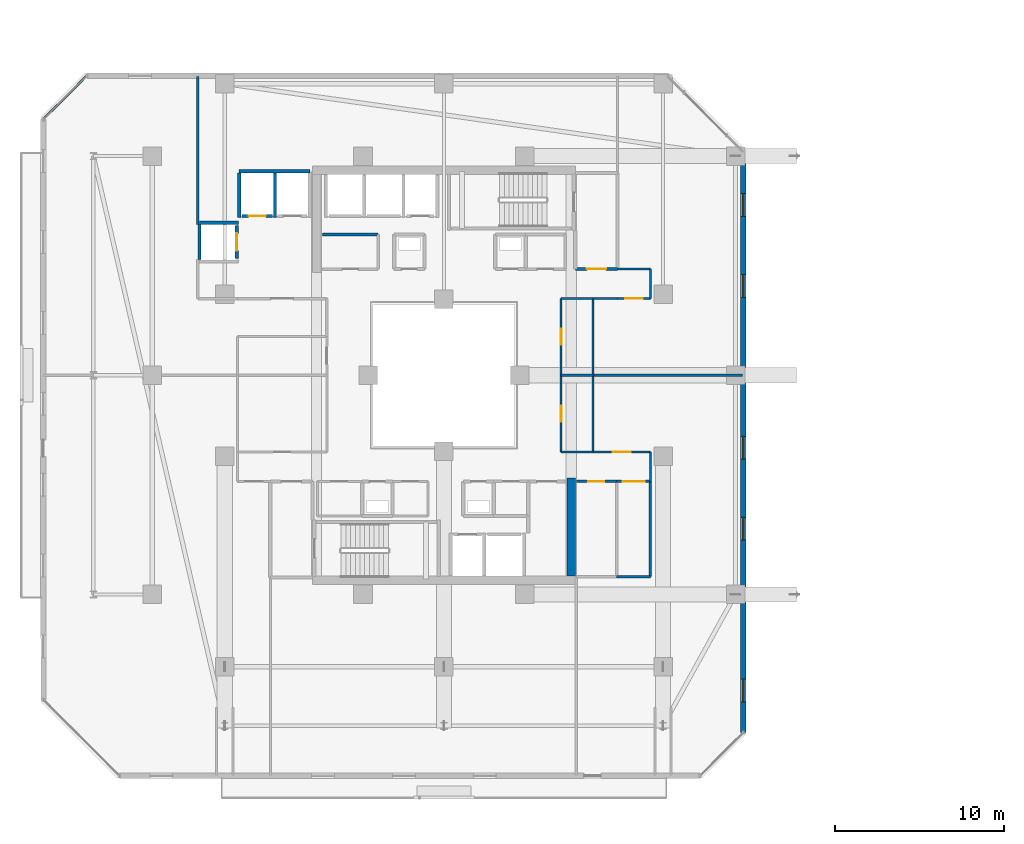
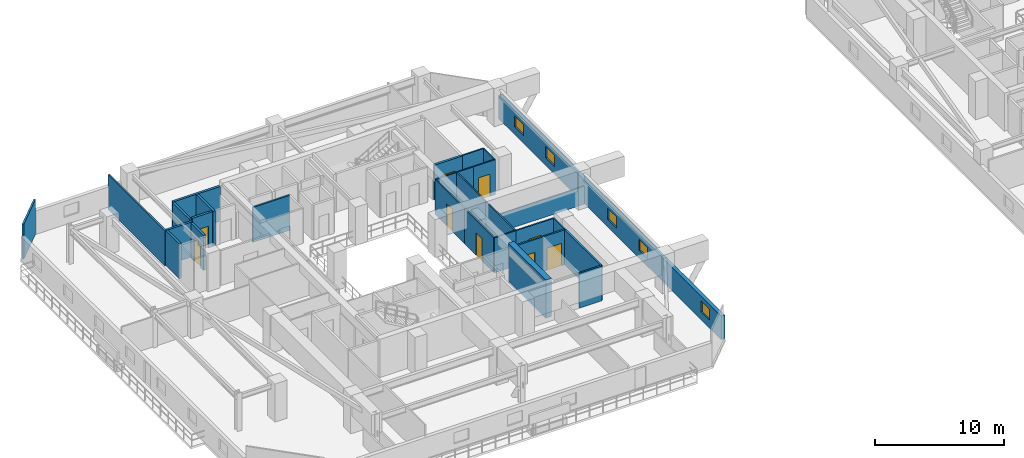
# One storey, part 22 of 35: 31 walls, 9 doors, 5 windows, 14 openings.
"""IFC4 building model written with IfcOpenShell, lengths in metres."""

from ifc_helpers import new_model, si_unit, direction, frame, frame_2d, origin, place, context, subcontext, project, spatial, rectangle, extrude, material, layer, layer_set, type_object, element, fill, save


model = new_model("IFC4")

# Units and contexts
model_context = context("Model", 3, precision=1e-05, world=origin(), true_north=direction((0.0, 1.0)))
body_context = subcontext(model_context, "Body", "Model", "MODEL_VIEW")
ifc_project = project(units=[si_unit("LENGTHUNIT", "METRE"), si_unit("AREAUNIT", "SQUARE_METRE"), si_unit("VOLUMEUNIT", "CUBIC_METRE"), si_unit("PLANEANGLEUNIT", "RADIAN"), si_unit("MASSUNIT", "GRAM", prefix="KILO")], contexts=[model_context])

# Site, building, storey
site_placement = place(None, origin())
site = spatial("IfcSite", under=ifc_project, at=site_placement, CompositionType="ELEMENT")
building_placement = place(site_placement, origin())
building = spatial("IfcBuilding", under=site, at=building_placement, Name="Thornwick Lancets Civic Towers", CompositionType="ELEMENT")
storey_placement = place(building_placement, frame((0.0, 0.0, 145.5)))
storey = spatial("IfcBuildingStorey", under=building, at=storey_placement, Name="L38", CompositionType="ELEMENT", Elevation=145.5)

# Wall, opening, door
ifc_material_1 = material(Name="Concrete blockwork C40/50", Category="masonry")
ifc_layer_1 = layer(ifc_material_1, 0.199951171875, Name="Concrete blockwork C40/50")
ifc_layer_set_1 = layer_set([ifc_layer_1], Name="Concrete blockwork C40/50")
wall_type_1 = type_object("IfcWallType", Name="WALL_COMP_200", PredefinedType="STANDARD", material=ifc_layer_set_1)
wall_1_placement = place(storey_placement, frame((15.320068359375, 36.449951171875, 0.0), z_axis=(0.0, 0.0, 1.0), x_axis=(-1.0, 0.0, 0.0)))
wall_1 = element("IfcWall", 1, at=wall_1_placement, inside=storey, type_object=wall_type_1, Name="L38 Hoistway Front Wall PL-AM2", PredefinedType="STANDARD", context=body_context, shape_type="SweptSolid", body=[
    extrude(rectangle(XDim=1.7900390625, YDim=0.199951171875, at=frame_2d((0.89501953125, 0.0))), origin(), (0.0, 0.0, 1.0), 3.300048828125),
])
opening_1_placement = place(wall_1_placement, frame((0.385009765625, 0.0, 0.0)))
opening_1 = element("IfcOpeningElement", 2, at=opening_1_placement, cuts=wall_1, Name="Opening LD-PL-AM2", PredefinedType="OPENING", context=body_context, shape_type="SweptSolid", body=[
    extrude(rectangle(XDim=1.02001953125, YDim=2.06005859375, at=frame_2d((0.510009765625, 1.030029296875))), frame((0.0, 0.10986328125, 0.0), z_axis=(0.0, -1.0, 0.0), x_axis=(1.0, 0.0, 0.0)), (0.0, 0.0, 1.0), 0.219970703125),
])
ifc_material_2 = material(Name="Brushed bronze stainless steel", Category="steel")
door_type_1 = type_object("IfcDoorType", Name="DOOR_LIFT_SLIDE", OperationType="SLIDING_TO_LEFT", PredefinedType="DOOR", material=ifc_material_2)
door_1_placement = place(opening_1_placement, origin())
door_1 = element("IfcDoor", 3, at=door_1_placement, inside=storey, type_object=door_type_1, Name="L38 Sliding Lift Landing Door LD-PL-AM2", OperationType="SLIDING_TO_LEFT", OverallHeight=2.06005859375, OverallWidth=1.02001953125, PredefinedType="DOOR", context=body_context, shape_type="SweptSolid", body=[
    extrude(rectangle(XDim=1.02001953125, YDim=2.06005859375, at=frame_2d((0.510009765625, 1.030029296875))), frame((0.0, 0.02490234375, 0.0), z_axis=(0.0, -1.0, 0.0), x_axis=(1.0, 0.0, 0.0)), (0.0, 0.0, 1.0), 0.050048828125),
])
fill(opening_1, door_1)

wall_2_placement = place(storey_placement, frame((13.199951171875, 33.929931640625, 0.0), z_axis=(0.0, 0.0, 1.0), x_axis=(0.0, 1.0, 0.0)))
wall_2 = element("IfcWall", 4, at=wall_2_placement, inside=storey, type_object=wall_type_1, Name="L38 Hoistway Front Wall PL-AM3", PredefinedType="STANDARD", context=body_context, shape_type="SweptSolid", body=[
    extrude(rectangle(XDim=1.940185546875, YDim=0.199951171875, at=frame_2d((0.97021484375, 0.0))), origin(), (0.0, 0.0, 1.0), 3.300048828125),
])
opening_2_placement = place(wall_2_placement, frame((0.4599609375, 0.0, 0.0)))
opening_2 = element("IfcOpeningElement", 5, at=opening_2_placement, cuts=wall_2, Name="Opening LD-PL-AM3", PredefinedType="OPENING", context=body_context, shape_type="SweptSolid", body=[
    extrude(rectangle(XDim=1.02001953125, YDim=2.06005859375, at=frame_2d((0.510009765625, 1.030029296875))), frame((0.0, 0.10986328125, 0.0), z_axis=(0.0, -1.0, 0.0), x_axis=(1.0, 0.0, 0.0)), (0.0, 0.0, 1.0), 0.219970703125),
])
door_2_placement = place(opening_2_placement, origin())
door_2 = element("IfcDoor", 6, at=door_2_placement, inside=storey, type_object=door_type_1, Name="L38 Sliding Lift Landing Door LD-PL-AM3", OperationType="SLIDING_TO_LEFT", OverallHeight=2.06005859375, OverallWidth=1.02001953125, PredefinedType="DOOR", context=body_context, shape_type="SweptSolid", body=[
    extrude(rectangle(XDim=1.02001953125, YDim=2.06005859375, at=frame_2d((0.510009765625, 1.030029296875))), frame((0.0, 0.02490234375, 0.0), z_axis=(0.0, -1.0, 0.0), x_axis=(1.0, 0.0, 0.0)), (0.0, 0.0, 1.0), 0.050048828125),
])
fill(opening_2, door_2)

# Walls
wall_3_placement = place(storey_placement, frame((13.35205078125, 39.10009765625, 0.0), z_axis=(0.0, 0.0, 1.0), x_axis=(1.0, 0.0, 0.0)))
element("IfcWall", 7, at=wall_3_placement, inside=storey, type_object=wall_type_1, Name="L38 Hoistway Shaft Wall PL-AM1 N", PredefinedType="STANDARD", context=body_context, shape_type="SweptSolid", body=[
    extrude(rectangle(XDim=4.196044921875, YDim=0.199951171875, at=frame_2d((2.09814453125, 0.0))), origin(), (0.0, 0.0, 1.0), 3.300048828125),
])
for number, where, z_axis, x_axis, name in (
    (8, (15.47509765625, 36.35205078125, 0.0), (0.0, 0.0, 1.0), (0.0, 1.0, 0.0), "L38 Hoistway Shaft Wall PL-AM1 W"),
    (9, (13.35009765625, 36.35205078125, 0.0), (0.0, 0.0, 1.0), (0.0, 1.0, 0.0), "L38 Hoistway Shaft Wall PL-AM2 W"),
):
    element("IfcWall", number, at=place(storey_placement, frame(where, z_axis=z_axis, x_axis=x_axis)), inside=storey, type_object=wall_type_1, Name=name, PredefinedType="STANDARD", context=body_context, shape_type="SweptSolid", body=[
        extrude(rectangle(XDim=2.635986328125, YDim=0.199951171875, at=frame_2d((1.31787109375, 0.0))), origin(), (0.0, 0.0, 1.0), 3.300048828125),
    ])
wall_4_placement = place(storey_placement, frame((11.001953125, 36.050048828125, 0.0), z_axis=(0.0, 0.0, 1.0), x_axis=(1.0, 0.0, 0.0)))
element("IfcWall", 10, at=wall_4_placement, inside=storey, type_object=wall_type_1, Name="L38 Hoistway Shaft Wall PL-AM3 N", PredefinedType="STANDARD", context=body_context, shape_type="SweptSolid", body=[
    extrude(rectangle(XDim=2.296142578125, YDim=0.199951171875, at=frame_2d((1.14794921875, 0.0))), origin(), (0.0, 0.0, 1.0), 3.300048828125),
])
wall_5_placement = place(storey_placement, frame((11.0, 33.862060546875, 0.0), z_axis=(0.0, 0.0, 1.0), x_axis=(0.0, 1.0, 0.0)))
element("IfcWall", 11, at=wall_5_placement, inside=storey, type_object=wall_type_1, Name="L38 Hoistway Shaft Wall PL-AM3 W", PredefinedType="STANDARD", context=body_context, shape_type="SweptSolid", body=[
    extrude(rectangle(XDim=2.075927734375, YDim=0.199951171875, at=frame_2d((1.0380859375, 0.0))), origin(), (0.0, 0.0, 1.0), 3.300048828125),
])

# Wall, opening, door
wall_6_placement = place(storey_placement, frame((33.300048828125, 33.300048828125, 0.0), z_axis=(0.0, 0.0, 1.0), x_axis=(1.0, 0.0, 0.0)))
wall_6 = element("IfcWall", 12, at=wall_6_placement, inside=storey, type_object=wall_type_1, Name="L38 Partition L38-A-FFLOB2 E1", PredefinedType="STANDARD", context=body_context, shape_type="SweptSolid", body=[
    extrude(rectangle(XDim=2.5, YDim=0.199951171875, at=frame_2d((1.25, 0.0))), origin(), (0.0, 0.0, 1.0), 3.300048828125),
])
opening_3_placement = place(wall_6_placement, frame((0.675048828125, 0.0, 0.0)))
opening_3 = element("IfcOpeningElement", 13, at=opening_3_placement, cuts=wall_6, Name="Opening D-L38-1708", PredefinedType="OPENING", context=body_context, shape_type="SweptSolid", body=[
    extrude(rectangle(XDim=1.14990234375, YDim=2.10009765625, at=frame_2d((0.574951171875, 1.050048828125))), frame((0.0, 0.10986328125, 0.0), z_axis=(0.0, -1.0, 0.0), x_axis=(1.0, 0.0, 0.0)), (0.0, 0.0, 1.0), 0.219970703125),
])
ifc_material_3 = material(Name="Glazed fire-resisting steel", Category="steel")
door_type_2 = type_object("IfcDoorType", Name="DOOR_LOBBY_FD60", OperationType="NOTDEFINED", PredefinedType="DOOR", material=ifc_material_3)
door_3_placement = place(opening_3_placement, origin())
door_3 = element("IfcDoor", 14, at=door_3_placement, inside=storey, type_object=door_type_2, Name="L38 North Firefighting Lobby 2 Door", OperationType="SINGLE_SWING_LEFT", OverallHeight=2.10009765625, OverallWidth=1.14990234375, PredefinedType="DOOR", context=body_context, shape_type="SweptSolid", body=[
    extrude(rectangle(XDim=1.14990234375, YDim=2.10009765625, at=frame_2d((0.574951171875, 1.050048828125))), frame((0.0, 0.02490234375, 0.0), z_axis=(0.0, -1.0, 0.0), x_axis=(1.0, 0.0, 0.0)), (0.0, 0.0, 1.0), 0.050048828125),
])
fill(opening_3, door_3)

# Wall
ifc_material_4 = material(Name="Concrete C50/60", Category="concrete")
ifc_layer_2 = layer(ifc_material_4, 0.5, Name="Concrete C50/60")
ifc_layer_set_2 = layer_set([ifc_layer_2], Name="Concrete C50/60")
wall_type_2 = type_object("IfcWallType", Name="WALL_CORE_500", PredefinedType="SHEAR", material=ifc_layer_set_2)
wall_7_placement = place(storey_placement, frame((33.050048828125, 15.10009765625, 0.0), z_axis=(0.0, 0.0, 1.0), x_axis=(0.0, 1.0, 0.0)))
element("IfcWall", 15, at=wall_7_placement, inside=storey, type_object=wall_type_2, Name="L38 Split Core A1 Shear Wall E", PredefinedType="SHEAR", context=body_context, shape_type="SweptSolid", body=[
    extrude(rectangle(XDim=5.7998046875, YDim=0.5, at=frame_2d((2.89990234375, 0.0))), origin(), (0.0, 0.0, 1.0), 3.60009765625),
])

# Wall, openings, windows
ifc_material_5 = material(Name="Insulated buff terracotta rainscreen on concrete C40/50", Category="masonry")
ifc_layer_3 = layer(ifc_material_5, 0.320068359375, Name="Insulated buff terracotta rainscreen on concrete C40/50")
ifc_layer_set_3 = layer_set([ifc_layer_3], Name="Insulated buff terracotta rainscreen on concrete C40/50")
wall_type_3 = type_object("IfcWallType", Name="WALL_EXT_TERRA_320", PredefinedType="STANDARD", material=ifc_layer_set_3)
wall_8_placement = place(storey_placement, frame((43.2646484375, 5.818603515625, 0.0), z_axis=(0.0, 0.0, 1.0), x_axis=(-0.000184351399, 0.999999983007, 0.0)))
wall_8 = element("IfcWall", 16, at=wall_8_placement, inside=storey, type_object=wall_type_3, Name="L38 Tower A Terracotta Facade Wall E2", PredefinedType="STANDARD", context=body_context, shape_type="SweptSolid", body=[
    extrude(rectangle(XDim=34.432373046875, YDim=0.320068359375, at=frame_2d((17.21630859375, 0.0))), origin(), (0.0, 0.0, 1.0), 2.219970703125),
])
opening_4_placement = place(wall_8_placement, frame((1.800048828125, 0.0, 0.719970703125)))
opening_4 = element("IfcOpeningElement", 17, at=opening_4_placement, cuts=wall_8, Name="Opening WL-03", PredefinedType="OPENING", context=body_context, shape_type="SweptSolid", body=[
    extrude(rectangle(XDim=1.35009765625, YDim=1.050048828125, at=frame_2d((0.675048828125, 0.52490234375))), frame((0.0, 0.169921875, 0.0), z_axis=(0.0, -1.0, 0.0), x_axis=(1.0, 0.0, 0.0)), (0.0, 0.0, 1.0), 0.340087890625),
])
opening_5_placement = place(wall_8_placement, frame((11.39990234375, 0.0, 0.719970703125)))
opening_5 = element("IfcOpeningElement", 18, at=opening_5_placement, cuts=wall_8, Name="Opening WL-03", PredefinedType="OPENING", context=body_context, shape_type="SweptSolid", body=[
    extrude(rectangle(XDim=1.35009765625, YDim=1.050048828125, at=frame_2d((0.675048828125, 0.52490234375))), frame((0.0, 0.169921875, 0.0), z_axis=(0.0, -1.0, 0.0), x_axis=(1.0, 0.0, 0.0)), (0.0, 0.0, 1.0), 0.340087890625),
])
opening_6_placement = place(wall_8_placement, frame((16.199951171875, 0.0, 0.719970703125)))
opening_6 = element("IfcOpeningElement", 19, at=opening_6_placement, cuts=wall_8, Name="Opening WL-03", PredefinedType="OPENING", context=body_context, shape_type="SweptSolid", body=[
    extrude(rectangle(XDim=1.35009765625, YDim=1.050048828125, at=frame_2d((0.675048828125, 0.52490234375))), frame((0.0, 0.169921875, 0.0), z_axis=(0.0, -1.0, 0.0), x_axis=(1.0, 0.0, 0.0)), (0.0, 0.0, 1.0), 0.340087890625),
])
opening_7_placement = place(wall_8_placement, frame((25.800048828125, 0.0, 0.719970703125)))
opening_7 = element("IfcOpeningElement", 20, at=opening_7_placement, cuts=wall_8, Name="Opening WL-03", PredefinedType="OPENING", context=body_context, shape_type="SweptSolid", body=[
    extrude(rectangle(XDim=1.35009765625, YDim=1.050048828125, at=frame_2d((0.675048828125, 0.52490234375))), frame((0.0, 0.169921875, 0.0), z_axis=(0.0, -1.0, 0.0), x_axis=(1.0, 0.0, 0.0)), (0.0, 0.0, 1.0), 0.340087890625),
])
opening_8_placement = place(wall_8_placement, frame((30.60009765625, 0.0, 0.719970703125)))
opening_8 = element("IfcOpeningElement", 21, at=opening_8_placement, cuts=wall_8, Name="Opening WL-03", PredefinedType="OPENING", context=body_context, shape_type="SweptSolid", body=[
    extrude(rectangle(XDim=1.35009765625, YDim=1.050048828125, at=frame_2d((0.675048828125, 0.52490234375))), frame((0.0, 0.169921875, 0.0), z_axis=(0.0, -1.0, 0.0), x_axis=(1.0, 0.0, 0.0)), (0.0, 0.0, 1.0), 0.340087890625),
])
ifc_material_6 = material(Name="Clear low-e double glazing clerestory lancet", Category="glass")
window_type = type_object("IfcWindowType", Name="WIN_LANCET_1350", PartitioningType="SINGLE_PANEL", PredefinedType="WINDOW", material=ifc_material_6)
window_1_placement = place(opening_4_placement, origin())
window_1 = element("IfcWindow", 22, at=window_1_placement, inside=storey, type_object=window_type, Name="L38 Tower A Staggered Lancet Window E2-1", OverallHeight=1.050048828125, OverallWidth=1.35009765625, PartitioningType="SINGLE_PANEL", PredefinedType="WINDOW", context=body_context, shape_type="SweptSolid", body=[
    extrude(rectangle(XDim=1.35009765625, YDim=1.050048828125, at=frame_2d((0.675048828125, 0.52490234375))), frame((0.0, 0.030029296875, 0.0), z_axis=(0.0, -1.0, 0.0), x_axis=(1.0, 0.0, 0.0)), (0.0, 0.0, 1.0), 0.06005859375),
])
fill(opening_4, window_1)
window_2_placement = place(opening_5_placement, origin())
window_2 = element("IfcWindow", 23, at=window_2_placement, inside=storey, type_object=window_type, Name="L38 Tower A Staggered Lancet Window E2-2", OverallHeight=1.050048828125, OverallWidth=1.35009765625, PartitioningType="SINGLE_PANEL", PredefinedType="WINDOW", context=body_context, shape_type="SweptSolid", body=[
    extrude(rectangle(XDim=1.35009765625, YDim=1.050048828125, at=frame_2d((0.675048828125, 0.52490234375))), frame((0.0, 0.030029296875, 0.0), z_axis=(0.0, -1.0, 0.0), x_axis=(1.0, 0.0, 0.0)), (0.0, 0.0, 1.0), 0.06005859375),
])
fill(opening_5, window_2)
window_3_placement = place(opening_6_placement, origin())
window_3 = element("IfcWindow", 24, at=window_3_placement, inside=storey, type_object=window_type, Name="L38 Tower A Staggered Lancet Window E2-3", OverallHeight=1.050048828125, OverallWidth=1.35009765625, PartitioningType="SINGLE_PANEL", PredefinedType="WINDOW", context=body_context, shape_type="SweptSolid", body=[
    extrude(rectangle(XDim=1.35009765625, YDim=1.050048828125, at=frame_2d((0.675048828125, 0.52490234375))), frame((0.0, 0.030029296875, 0.0), z_axis=(0.0, -1.0, 0.0), x_axis=(1.0, 0.0, 0.0)), (0.0, 0.0, 1.0), 0.06005859375),
])
fill(opening_6, window_3)
window_4_placement = place(opening_7_placement, origin())
window_4 = element("IfcWindow", 25, at=window_4_placement, inside=storey, type_object=window_type, Name="L38 Tower A Staggered Lancet Window E2-4", OverallHeight=1.050048828125, OverallWidth=1.35009765625, PartitioningType="SINGLE_PANEL", PredefinedType="WINDOW", context=body_context, shape_type="SweptSolid", body=[
    extrude(rectangle(XDim=1.35009765625, YDim=1.050048828125, at=frame_2d((0.675048828125, 0.52490234375))), frame((0.0, 0.030029296875, 0.0), z_axis=(0.0, -1.0, 0.0), x_axis=(1.0, 0.0, 0.0)), (0.0, 0.0, 1.0), 0.06005859375),
])
fill(opening_7, window_4)
window_5_placement = place(opening_8_placement, origin())
window_5 = element("IfcWindow", 26, at=window_5_placement, inside=storey, type_object=window_type, Name="L38 Tower A Staggered Lancet Window E2-5", OverallHeight=1.050048828125, OverallWidth=1.35009765625, PartitioningType="SINGLE_PANEL", PredefinedType="WINDOW", context=body_context, shape_type="SweptSolid", body=[
    extrude(rectangle(XDim=1.35009765625, YDim=1.050048828125, at=frame_2d((0.675048828125, 0.52490234375))), frame((0.0, 0.030029296875, 0.0), z_axis=(0.0, -1.0, 0.0), x_axis=(1.0, 0.0, 0.0)), (0.0, 0.0, 1.0), 0.06005859375),
])
fill(opening_8, window_5)

# Wall, opening, door
ifc_material_7 = material(Name="Acoustic gypsum board partition")
ifc_layer_4 = layer(ifc_material_7, 0.1201171875, Name="Acoustic gypsum board partition")
ifc_layer_set_4 = layer_set([ifc_layer_4], Name="Acoustic gypsum board partition")
wall_type_4 = type_object("IfcWallType", Name="WALL_PART_120", PredefinedType="PARTITIONING", material=ifc_layer_set_4)
wall_9_placement = place(storey_placement, frame((32.449951171875, 22.449951171875, 0.0), z_axis=(0.0, 0.0, 1.0), x_axis=(0.0, 1.0, 0.0)))
wall_9 = element("IfcWall", 27, at=wall_9_placement, inside=storey, type_object=wall_type_4, Name="L38 Partition L38-A-E1 E1", PredefinedType="PARTITIONING", context=body_context, shape_type="SweptSolid", body=[
    extrude(rectangle(XDim=4.550048828125, YDim=0.1201171875, at=frame_2d((2.27490234375, 0.0))), origin(), (0.0, 0.0, 1.0), 3.300048828125),
])
opening_9_placement = place(wall_9_placement, frame((1.800048828125, 0.0, 0.0)))
opening_9 = element("IfcOpeningElement", 28, at=opening_9_placement, cuts=wall_9, Name="Opening D-L38-1737", PredefinedType="OPENING", context=body_context, shape_type="SweptSolid", body=[
    extrude(rectangle(XDim=0.949951171875, YDim=2.10009765625, at=frame_2d((0.47509765625, 1.050048828125))), frame((0.0, 0.070068359375, 0.0), z_axis=(0.0, -1.0, 0.0), x_axis=(1.0, 0.0, 0.0)), (0.0, 0.0, 1.0), 0.14013671875),
])
ifc_material_8 = material(Name="European oak acoustic doorset")
door_type_3 = type_object("IfcDoorType", Name="DOOR_OFFICE_950", OperationType="NOTDEFINED", PredefinedType="DOOR", material=ifc_material_8)
door_4_placement = place(opening_9_placement, origin())
door_4 = element("IfcDoor", 29, at=door_4_placement, inside=storey, type_object=door_type_3, Name="L38 Tower A Visitors Reception and Waiting Door", OperationType="SINGLE_SWING_RIGHT", OverallHeight=2.10009765625, OverallWidth=0.949951171875, PredefinedType="DOOR", context=body_context, shape_type="SweptSolid", body=[
    extrude(rectangle(XDim=0.949951171875, YDim=2.10009765625, at=frame_2d((0.47509765625, 1.050048828125))), frame((0.0, 0.02490234375, 0.0), z_axis=(0.0, -1.0, 0.0), x_axis=(1.0, 0.0, 0.0)), (0.0, 0.0, 1.0), 0.050048828125),
])
fill(opening_9, door_4)

# Walls
wall_10_placement = place(storey_placement, frame((32.449951171875, 27.0, 0.0), z_axis=(0.0, 0.0, 1.0), x_axis=(1.0, 0.0, 0.0)))
element("IfcWall", 30, at=wall_10_placement, inside=storey, type_object=wall_type_4, Name="L38 Partition L38-A-E1 E2", PredefinedType="PARTITIONING", context=body_context, shape_type="SweptSolid", body=[
    extrude(rectangle(XDim=1.900146484375, YDim=0.1201171875, at=frame_2d((0.9501953125, 0.0))), origin(), (0.0, 0.0, 1.0), 1.68505859375),
])
wall_11_placement = place(storey_placement, frame((34.35009765625, 27.0, 0.0), z_axis=(0.0, 0.0, 1.0), x_axis=(0.0, -1.0, 0.0)))
element("IfcWall", 31, at=wall_11_placement, inside=storey, type_object=wall_type_4, Name="L38 Partition L38-A-E1 E3", PredefinedType="PARTITIONING", context=body_context, shape_type="SweptSolid", body=[
    extrude(rectangle(XDim=4.550048828125, YDim=0.1201171875, at=frame_2d((2.27490234375, 0.0))), origin(), (0.0, 0.0, 1.0), 3.300048828125),
])
wall_12_placement = place(storey_placement, frame((34.35009765625, 22.449951171875, 0.0), z_axis=(0.0, 0.0, 1.0), x_axis=(-1.0, 0.0, 0.0)))
element("IfcWall", 32, at=wall_12_placement, inside=storey, type_object=wall_type_4, Name="L38 Partition L38-A-E1 E4", PredefinedType="PARTITIONING", context=body_context, shape_type="SweptSolid", body=[
    extrude(rectangle(XDim=1.900146484375, YDim=0.1201171875, at=frame_2d((0.9501953125, 0.0))), origin(), (0.0, 0.0, 1.0), 3.300048828125),
])
wall_13_placement = place(storey_placement, frame((37.75, 20.699951171875, 0.0), z_axis=(0.0, 0.0, 1.0), x_axis=(0.0, 1.0, 0.0)))
element("IfcWall", 33, at=wall_13_placement, inside=storey, type_object=wall_type_4, Name="L38 Partition L38-A-E2 E10", PredefinedType="PARTITIONING", context=body_context, shape_type="SweptSolid", body=[
    extrude(rectangle(XDim=1.75, YDim=0.1201171875, at=frame_2d((0.875, 0.0))), origin(), (0.0, 0.0, 1.0), 3.300048828125),
])

# Wall, opening, door
wall_14_placement = place(storey_placement, frame((37.75, 22.449951171875, 0.0), z_axis=(0.0, 0.0, 1.0), x_axis=(-1.0, 0.0, 0.0)))
wall_14 = element("IfcWall", 34, at=wall_14_placement, inside=storey, type_object=wall_type_4, Name="L38 Partition L38-A-E2 E11", PredefinedType="PARTITIONING", context=body_context, shape_type="SweptSolid", body=[
    extrude(rectangle(XDim=3.39990234375, YDim=0.1201171875, at=frame_2d((1.699951171875, 0.0))), origin(), (0.0, 0.0, 1.0), 3.300048828125),
])
opening_10_placement = place(wall_14_placement, frame((1.175048828125, 0.0, 0.0)))
opening_10 = element("IfcOpeningElement", 35, at=opening_10_placement, cuts=wall_14, Name="Opening D-L38-1738", PredefinedType="OPENING", context=body_context, shape_type="SweptSolid", body=[
    extrude(rectangle(XDim=1.050048828125, YDim=2.10009765625, at=frame_2d((0.52490234375, 1.050048828125))), frame((0.0, 0.070068359375, 0.0), z_axis=(0.0, -1.0, 0.0), x_axis=(1.0, 0.0, 0.0)), (0.0, 0.0, 1.0), 0.14013671875),
])
ifc_material_9 = material(Name="Glazed European oak executive doorset")
door_type_4 = type_object("IfcDoorType", Name="DOOR_OFFICE_1050", OperationType="NOTDEFINED", PredefinedType="DOOR", material=ifc_material_9)
door_5_placement = place(opening_10_placement, origin())
door_5 = element("IfcDoor", 36, at=door_5_placement, inside=storey, type_object=door_type_4, Name="L38 Tower A Secretariat Open Office E1 Door", OperationType="SINGLE_SWING_LEFT", OverallHeight=2.10009765625, OverallWidth=1.050048828125, PredefinedType="DOOR", context=body_context, shape_type="SweptSolid", body=[
    extrude(rectangle(XDim=1.050048828125, YDim=2.10009765625, at=frame_2d((0.52490234375, 1.050048828125))), frame((0.0, 0.02490234375, 0.0), z_axis=(0.0, -1.0, 0.0), x_axis=(1.0, 0.0, 0.0)), (0.0, 0.0, 1.0), 0.050048828125),
])
fill(opening_10, door_5)

# Wall
wall_15_placement = place(storey_placement, frame((34.35009765625, 27.0, 0.0), z_axis=(0.0, 0.0, 1.0), x_axis=(1.0, 0.0, 0.0)))
element("IfcWall", 37, at=wall_15_placement, inside=storey, type_object=wall_type_4, Name="L38 Partition L38-A-E2 E13", PredefinedType="PARTITIONING", context=body_context, shape_type="SweptSolid", body=[
    extrude(rectangle(XDim=8.869873046875, YDim=0.1201171875, at=frame_2d((4.43505859375, 0.0))), origin(), (0.0, 0.0, 1.0), 1.68505859375),
])

# Wall, opening, door
wall_16_placement = place(storey_placement, frame((32.449951171875, 27.0, 0.0), z_axis=(0.0, 0.0, 1.0), x_axis=(0.0, 1.0, 0.0)))
wall_16 = element("IfcWall", 38, at=wall_16_placement, inside=storey, type_object=wall_type_4, Name="L38 Partition L38-A-E3 E1", PredefinedType="PARTITIONING", context=body_context, shape_type="SweptSolid", body=[
    extrude(rectangle(XDim=4.550048828125, YDim=0.1201171875, at=frame_2d((2.27490234375, 0.0))), origin(), (0.0, 0.0, 1.0), 3.300048828125),
])
opening_11_placement = place(wall_16_placement, frame((1.800048828125, 0.0, 0.0)))
opening_11 = element("IfcOpeningElement", 39, at=opening_11_placement, cuts=wall_16, Name="Opening D-L38-1739", PredefinedType="OPENING", context=body_context, shape_type="SweptSolid", body=[
    extrude(rectangle(XDim=0.949951171875, YDim=2.10009765625, at=frame_2d((0.47509765625, 1.050048828125))), frame((0.0, 0.070068359375, 0.0), z_axis=(0.0, -1.0, 0.0), x_axis=(1.0, 0.0, 0.0)), (0.0, 0.0, 1.0), 0.14013671875),
])
door_6_placement = place(opening_11_placement, origin())
door_6 = element("IfcDoor", 40, at=door_6_placement, inside=storey, type_object=door_type_3, Name="L38 Tower A Civic Seminar Room Door", OperationType="SINGLE_SWING_RIGHT", OverallHeight=2.10009765625, OverallWidth=0.949951171875, PredefinedType="DOOR", context=body_context, shape_type="SweptSolid", body=[
    extrude(rectangle(XDim=0.949951171875, YDim=2.10009765625, at=frame_2d((0.47509765625, 1.050048828125))), frame((0.0, 0.02490234375, 0.0), z_axis=(0.0, -1.0, 0.0), x_axis=(1.0, 0.0, 0.0)), (0.0, 0.0, 1.0), 0.050048828125),
])
fill(opening_11, door_6)

# Walls
wall_17_placement = place(storey_placement, frame((32.449951171875, 31.550048828125, 0.0), z_axis=(0.0, 0.0, 1.0), x_axis=(1.0, 0.0, 0.0)))
element("IfcWall", 41, at=wall_17_placement, inside=storey, type_object=wall_type_4, Name="L38 Partition L38-A-E3 E2", PredefinedType="PARTITIONING", context=body_context, shape_type="SweptSolid", body=[
    extrude(rectangle(XDim=1.900146484375, YDim=0.1201171875, at=frame_2d((0.9501953125, 0.0))), origin(), (0.0, 0.0, 1.0), 3.300048828125),
])
wall_18_placement = place(storey_placement, frame((34.35009765625, 31.550048828125, 0.0), z_axis=(0.0, 0.0, 1.0), x_axis=(0.0, -1.0, 0.0)))
element("IfcWall", 42, at=wall_18_placement, inside=storey, type_object=wall_type_4, Name="L38 Partition L38-A-E3 E3", PredefinedType="PARTITIONING", context=body_context, shape_type="SweptSolid", body=[
    extrude(rectangle(XDim=4.550048828125, YDim=0.1201171875, at=frame_2d((2.27490234375, 0.0))), origin(), (0.0, 0.0, 1.0), 3.300048828125),
])
wall_19_placement = place(storey_placement, frame((34.35009765625, 31.550048828125, 0.0), z_axis=(0.0, 0.0, 1.0), x_axis=(1.0, 0.0, 0.0)))
element("IfcWall", 43, at=wall_19_placement, inside=storey, type_object=wall_type_4, Name="L38 Partition L38-A-E4 E1", PredefinedType="PARTITIONING", context=body_context, shape_type="SweptSolid", body=[
    extrude(rectangle(XDim=1.449951171875, YDim=0.1201171875, at=frame_2d((0.72509765625, 0.0))), origin(), (0.0, 0.0, 1.0), 3.300048828125),
])

# Wall, opening, door
wall_20_placement = place(storey_placement, frame((35.800048828125, 31.550048828125, 0.0), z_axis=(0.0, 0.0, 1.0), x_axis=(1.0, 0.0, 0.0)))
wall_20 = element("IfcWall", 44, at=wall_20_placement, inside=storey, type_object=wall_type_4, Name="L38 Partition L38-A-E4 E2", PredefinedType="PARTITIONING", context=body_context, shape_type="SweptSolid", body=[
    extrude(rectangle(XDim=1.949951171875, YDim=0.1201171875, at=frame_2d((0.97509765625, 0.0))), origin(), (0.0, 0.0, 1.0), 3.300048828125),
])
opening_12_placement = place(wall_20_placement, frame((0.449951171875, 0.0, 0.0)))
opening_12 = element("IfcOpeningElement", 45, at=opening_12_placement, cuts=wall_20, Name="Opening D-L38-1740", PredefinedType="OPENING", context=body_context, shape_type="SweptSolid", body=[
    extrude(rectangle(XDim=1.050048828125, YDim=2.10009765625, at=frame_2d((0.52490234375, 1.050048828125))), frame((0.0, 0.070068359375, 0.0), z_axis=(0.0, -1.0, 0.0), x_axis=(1.0, 0.0, 0.0)), (0.0, 0.0, 1.0), 0.14013671875),
])
door_7_placement = place(opening_12_placement, origin())
door_7 = element("IfcDoor", 46, at=door_7_placement, inside=storey, type_object=door_type_4, Name="L38 Tower A Counsel Chambers Office E4 Door", OperationType="SINGLE_SWING_LEFT", OverallHeight=2.10009765625, OverallWidth=1.050048828125, PredefinedType="DOOR", context=body_context, shape_type="SweptSolid", body=[
    extrude(rectangle(XDim=1.050048828125, YDim=2.10009765625, at=frame_2d((0.52490234375, 1.050048828125))), frame((0.0, 0.02490234375, 0.0), z_axis=(0.0, -1.0, 0.0), x_axis=(1.0, 0.0, 0.0)), (0.0, 0.0, 1.0), 0.050048828125),
])
fill(opening_12, door_7)

# Walls
wall_21_placement = place(storey_placement, frame((37.75, 31.550048828125, 0.0), z_axis=(0.0, 0.0, 1.0), x_axis=(0.0, 1.0, 0.0)))
element("IfcWall", 47, at=wall_21_placement, inside=storey, type_object=wall_type_4, Name="L38 Partition L38-A-E4 E3", PredefinedType="PARTITIONING", context=body_context, shape_type="SweptSolid", body=[
    extrude(rectangle(XDim=1.75, YDim=0.1201171875, at=frame_2d((0.875, 0.0))), origin(), (0.0, 0.0, 1.0), 3.300048828125),
])
wall_22_placement = place(storey_placement, frame((37.75, 33.300048828125, 0.0), z_axis=(0.0, 0.0, 1.0), x_axis=(-1.0, 0.0, 0.0)))
element("IfcWall", 48, at=wall_22_placement, inside=storey, type_object=wall_type_4, Name="L38 Partition L38-A-E4 E4", PredefinedType="PARTITIONING", context=body_context, shape_type="SweptSolid", body=[
    extrude(rectangle(XDim=1.949951171875, YDim=0.1201171875, at=frame_2d((0.97509765625, 0.0))), origin(), (0.0, 0.0, 1.0), 3.300048828125),
])
ifc_material_10 = material(Name="Twin-stud acoustic gypsum board")
ifc_layer_5 = layer(ifc_material_10, 0.14990234375, Name="Twin-stud acoustic gypsum board")
ifc_layer_set_5 = layer_set([ifc_layer_5], Name="Twin-stud acoustic gypsum board")
wall_type_5 = type_object("IfcWallType", Name="WALL_PART_150", PredefinedType="PARTITIONING", material=ifc_layer_set_5)
wall_23_placement = place(storey_placement, frame((21.60009765625, 35.35009765625, 0.0), z_axis=(0.0, 0.0, 1.0), x_axis=(-1.0, 0.0, 0.0)))
element("IfcWall", 49, at=wall_23_placement, inside=storey, type_object=wall_type_5, Name="L38 Partition L38-A-MWC E3", PredefinedType="PARTITIONING", context=body_context, shape_type="SweptSolid", body=[
    extrude(rectangle(XDim=3.300048828125, YDim=0.14990234375, at=frame_2d((1.64990234375, 0.0))), origin(), (0.0, 0.0, 1.0), 3.300048828125),
])

# Wall, opening, door
wall_24_placement = place(storey_placement, frame((33.35009765625, 20.699951171875, 0.0), z_axis=(0.0, 0.0, 1.0), x_axis=(1.0, 0.0, 0.0)))
wall_24 = element("IfcWall", 50, at=wall_24_placement, inside=storey, type_object=wall_type_5, Name="L38 Partition L38-A-RECLAIM-L1 E3", PredefinedType="PARTITIONING", context=body_context, shape_type="SweptSolid", body=[
    extrude(rectangle(XDim=2.39990234375, YDim=0.14990234375, at=frame_2d((1.199951171875, 0.0))), origin(), (0.0, 0.0, 1.0), 3.300048828125),
])
opening_13_placement = place(wall_24_placement, frame((0.72509765625, 0.0, 0.0)))
opening_13 = element("IfcOpeningElement", 51, at=opening_13_placement, cuts=wall_24, Name="Opening D-L38-1731", PredefinedType="OPENING", context=body_context, shape_type="SweptSolid", body=[
    extrude(rectangle(XDim=0.949951171875, YDim=2.10009765625, at=frame_2d((0.47509765625, 1.050048828125))), frame((0.0, 0.0849609375, 0.0), z_axis=(0.0, -1.0, 0.0), x_axis=(1.0, 0.0, 0.0)), (0.0, 0.0, 1.0), 0.169921875),
])
door_8_placement = place(opening_13_placement, origin())
door_8 = element("IfcDoor", 52, at=door_8_placement, inside=storey, type_object=door_type_3, Name="L38 Tower A Policy Archive Door", OperationType="SINGLE_SWING_RIGHT", OverallHeight=2.10009765625, OverallWidth=0.949951171875, PredefinedType="DOOR", context=body_context, shape_type="SweptSolid", body=[
    extrude(rectangle(XDim=0.949951171875, YDim=2.10009765625, at=frame_2d((0.47509765625, 1.050048828125))), frame((0.0, 0.02490234375, 0.0), z_axis=(0.0, -1.0, 0.0), x_axis=(1.0, 0.0, 0.0)), (0.0, 0.0, 1.0), 0.050048828125),
])
fill(opening_13, door_8)

# Wall
wall_25_placement = place(storey_placement, frame((37.75, 15.050048828125, 0.0), z_axis=(0.0, 0.0, 1.0), x_axis=(-1.0, 0.0, 0.0)))
element("IfcWall", 53, at=wall_25_placement, inside=storey, type_object=wall_type_5, Name="L38 Partition L38-A-RECLAIM-L2 E1", PredefinedType="PARTITIONING", context=body_context, shape_type="SweptSolid", body=[
    extrude(rectangle(XDim=2.0, YDim=0.14990234375, at=frame_2d((1.0, 0.0))), origin(), (0.0, 0.0, 1.0), 3.300048828125),
])

# Wall, opening, door
wall_26_placement = place(storey_placement, frame((35.75, 20.699951171875, 0.0), z_axis=(0.0, 0.0, 1.0), x_axis=(1.0, 0.0, 0.0)))
wall_26 = element("IfcWall", 54, at=wall_26_placement, inside=storey, type_object=wall_type_5, Name="L38 Partition L38-A-RECLAIM-L2 E3", PredefinedType="PARTITIONING", context=body_context, shape_type="SweptSolid", body=[
    extrude(rectangle(XDim=2.0, YDim=0.14990234375, at=frame_2d((1.0, 0.0))), origin(), (0.0, 0.0, 1.0), 3.300048828125),
])
opening_14_placement = place(wall_26_placement, frame((0.35009765625, 0.0, 0.0)))
opening_14 = element("IfcOpeningElement", 55, at=opening_14_placement, cuts=wall_26, Name="Opening D-L38-1732", PredefinedType="OPENING", context=body_context, shape_type="SweptSolid", body=[
    extrude(rectangle(XDim=1.300048828125, YDim=2.1201171875, at=frame_2d((0.64990234375, 1.06005859375))), frame((0.0, 0.0849609375, 0.0), z_axis=(0.0, -1.0, 0.0), x_axis=(1.0, 0.0, 0.0)), (0.0, 0.0, 1.0), 0.169921875),
])
ifc_material_11 = material(Name="Acoustic oak leaf-and-a-half doorset")
door_type_5 = type_object("IfcDoorType", Name="DOOR_MEET_1300", OperationType="DOUBLE_DOOR_SINGLE_SWING", PredefinedType="DOOR", material=ifc_material_11)
door_9_placement = place(opening_14_placement, origin())
door_9 = element("IfcDoor", 56, at=door_9_placement, inside=storey, type_object=door_type_5, Name="L38 Tower A Ministerial Consultation Room Door", OperationType="DOUBLE_DOOR_SINGLE_SWING", OverallHeight=2.1201171875, OverallWidth=1.300048828125, PredefinedType="DOOR", context=body_context, shape_type="SweptSolid", body=[
    extrude(rectangle(XDim=1.300048828125, YDim=2.1201171875, at=frame_2d((0.64990234375, 1.06005859375))), frame((0.0, 0.02490234375, 0.0), z_axis=(0.0, -1.0, 0.0), x_axis=(1.0, 0.0, 0.0)), (0.0, 0.0, 1.0), 0.050048828125),
])
fill(opening_14, door_9)

# Walls
wall_27_placement = place(storey_placement, frame((37.75, 20.699951171875, 0.0), z_axis=(0.0, 0.0, 1.0), x_axis=(0.0, -1.0, 0.0)))
element("IfcWall", 57, at=wall_27_placement, inside=storey, type_object=wall_type_5, Name="L38 Partition L38-A-RECLAIM-L2 E4", PredefinedType="PARTITIONING", context=body_context, shape_type="SweptSolid", body=[
    extrude(rectangle(XDim=5.64990234375, YDim=0.14990234375, at=frame_2d((2.824951171875, 0.0))), origin(), (0.0, 0.0, 1.0), 3.300048828125),
])
wall_28_placement = place(storey_placement, frame((1.780029296875, 42.225341796875, 0.0), z_axis=(0.0, 0.0, 1.0), x_axis=(0.707106781187, 0.707106781187, 0.0)))
element("IfcWall", 58, at=wall_28_placement, inside=storey, type_object=wall_type_5, Name="L38 Partition L38-A-W4 E7", PredefinedType="PARTITIONING", context=body_context, shape_type="SweptSolid", body=[
    extrude(rectangle(XDim=3.52783203125, YDim=0.14990234375, at=frame_2d((1.763916015625, 0.0))), origin(), (0.0, 0.0, 1.0), 3.300048828125),
])
wall_29_placement = place(storey_placement, frame((10.89990234375, 44.719970703125, 0.0), z_axis=(0.0, 0.0, 1.0), x_axis=(0.0, -1.0, 0.0)))
element("IfcWall", 59, at=wall_29_placement, inside=storey, type_object=wall_type_5, Name="L38 Partition L38-A-W4 E9", PredefinedType="PARTITIONING", context=body_context, shape_type="SweptSolid", body=[
    extrude(rectangle(XDim=8.781982421875, YDim=0.14990234375, at=frame_2d((4.39111328125, 0.0))), origin(), (0.0, 0.0, 1.0), 3.300048828125),
])

save(model, "model.ifc")
